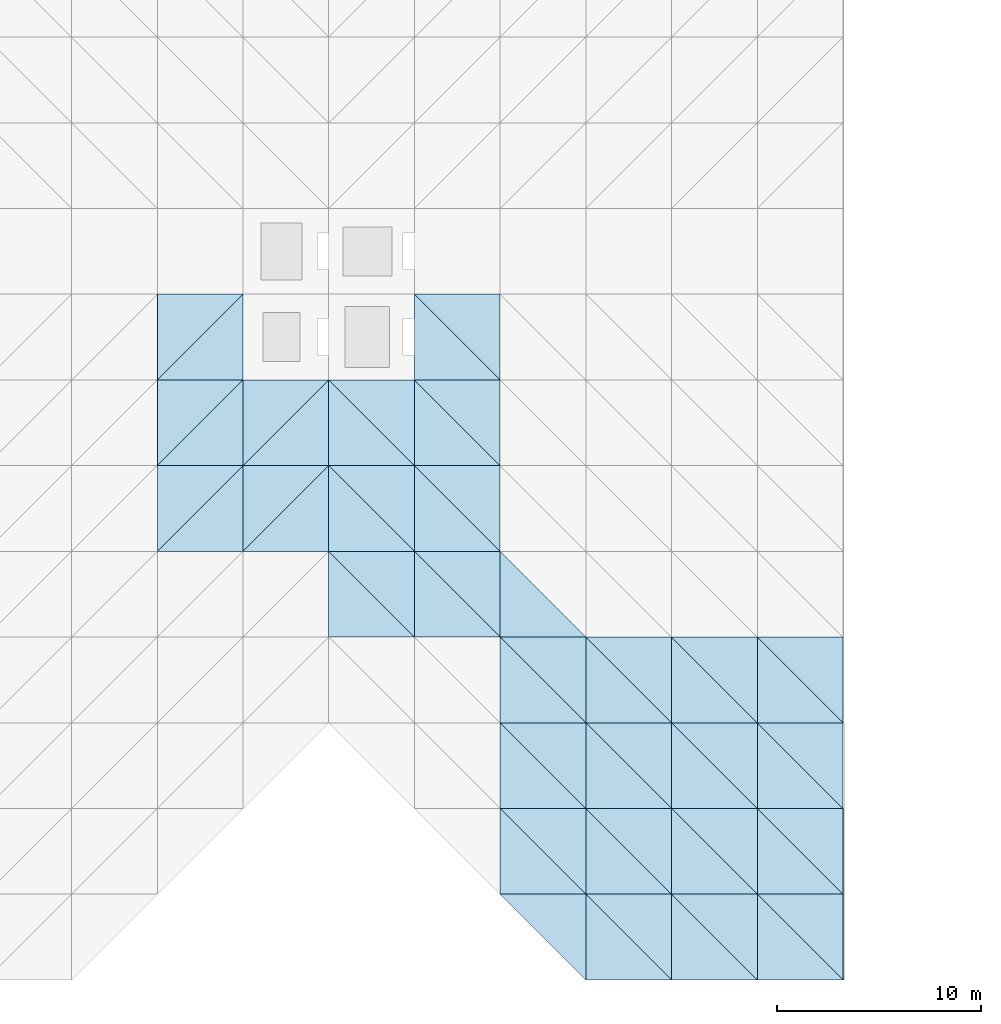
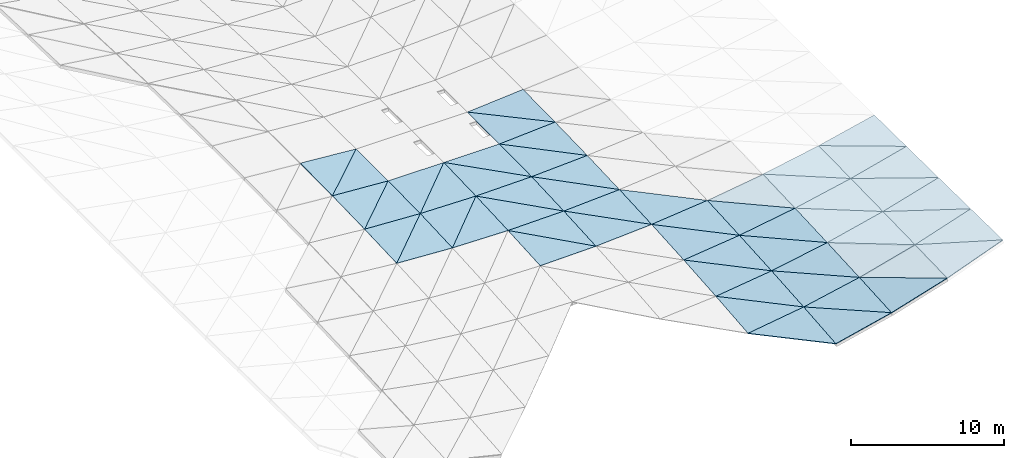
# One storey, part 20 of 31: 56 roofs.
"""IFC4 building model written with IfcOpenShell, lengths in metres."""

from ifc_helpers import new_model, si_unit, direction, frame, origin, place, context, subcontext, project, spatial, polyline, outline, extrude, material, layer, layer_set, type_object, element, save


model = new_model("IFC4")

# Units and contexts
model_context = context("Model", 3, precision=1e-05, world=origin(), true_north=direction((0.0, 1.0)))
body_context = subcontext(model_context, "Body", "Model", "MODEL_VIEW")
ifc_project = project(units=[si_unit("LENGTHUNIT", "METRE"), si_unit("AREAUNIT", "SQUARE_METRE"), si_unit("VOLUMEUNIT", "CUBIC_METRE"), si_unit("PLANEANGLEUNIT", "RADIAN"), si_unit("MASSUNIT", "GRAM", prefix="KILO")], contexts=[model_context])

# Site, building, storey
site_placement = place(None, origin())
site = spatial("IfcSite", under=ifc_project, at=site_placement, CompositionType="ELEMENT")
building_placement = place(site_placement, origin())
building = spatial("IfcBuilding", under=site, at=building_placement, Name="Cumbredor Promenade Congress Hotel", CompositionType="ELEMENT")
storey_placement = place(building_placement, frame((0.0, 0.0, 31.919921875)))
storey = spatial("IfcBuildingStorey", under=building, at=storey_placement, Name="L09", CompositionType="ELEMENT", Elevation=31.919921875)

# Roofs
ifc_material = material(Name="Standing-seam zinc-aluminium roofing", Category="aluminium")
ifc_layer = layer(ifc_material, 0.050048828125, Name="Standing-seam zinc-aluminium roofing", Category="aluminium")
ifc_layer_set = layer_set([ifc_layer], Name="Standing-seam zinc-aluminium roofing")
roof_type = type_object("IfcRoofType", Name="Sweeping Pavilion Standing-Seam Roof Skin 50mm", PredefinedType="FREEFORM", material=ifc_layer_set)
roof_1_placement = place(storey_placement, frame((25.199951171875, 21.0, 1.0458984375), z_axis=(0.057508168834, -0.045855808012, 0.997291359327), x_axis=(0.998341545591, 0.0, -0.057568727154)))
element("IfcRoof", 1, at=roof_1_placement, inside=storey, type_object=roof_type, Name="Plenary Congress Hall Standing-Seam Roof Skin 8.6.1", PredefinedType="FREEFORM", context=body_context, shape_type="SweptSolid", body=[
    extrude(outline(polyline([(0.0, 0.0), (4.206928170445799, 1.734723475976807e-18), (4.195810772208824, 4.204373882439374), (0.0, 0.0)])), origin(), (0.0, 0.0, -1.0), 0.050048828125),
])
roof_2_placement = place(storey_placement, frame((25.199951171875, 21.0, 1.0458984375), z_axis=(0.053067762346, -0.041410253896, 0.997731929664), x_axis=(0.707082649565, 0.707082649565, -0.008261559761)))
element("IfcRoof", 2, at=roof_2_placement, inside=storey, type_object=roof_type, Name="Plenary Congress Hall Standing-Seam Roof Skin 8.6.2", PredefinedType="FREEFORM", context=body_context, shape_type="SweptSolid", body=[
    extrude(outline(polyline([(0.0, 0.0), (5.939830618756897, -3.0357660829594124e-17), (2.968272477243427, 2.9764634310639995), (0.0, 0.0)])), origin(), (0.0, 0.0, -1.0), 0.050048828125),
])
roof_3_placement = place(storey_placement, frame((25.199951171875, 25.199951171875, 1.22021484375), z_axis=(0.053108168047, -0.013930011291, 0.998491601002), x_axis=(0.998588491362, 0.0, -0.05311332149)))
element("IfcRoof", 3, at=roof_3_placement, inside=storey, type_object=roof_type, Name="Plenary Congress Hall Standing-Seam Roof Skin 8.7.1", PredefinedType="FREEFORM", context=body_context, shape_type="SweptSolid", body=[
    extrude(outline(polyline([(0.0, 0.0), (4.205887818862536, 4.336808689942018e-19), (4.202775710181469, 4.2003587214014), (0.0, 0.0)])), origin(), (0.0, 0.0, -1.0), 0.050048828125),
])
roof_4_placement = place(storey_placement, frame((25.199951171875, 25.199951171875, 1.22021484375), z_axis=(0.066674640204, -0.027539525301, 0.997394639498), x_axis=(0.706834778288, 0.706834778288, -0.027734318162)))
element("IfcRoof", 4, at=roof_4_placement, inside=storey, type_object=roof_type, Name="Plenary Congress Hall Standing-Seam Roof Skin 8.7.2", PredefinedType="FREEFORM", context=body_context, shape_type="SweptSolid", body=[
    extrude(outline(polyline([(0.0, 0.0), (5.941913585583702, 3.712308238590367e-16), (2.9654552953536664, 2.9764262187009676), (0.0, 0.0)])), origin(), (0.0, 0.0, -1.0), 0.050048828125),
])
roof_5_placement = place(storey_placement, frame((25.199951171875, 29.39990234375, 1.336181640625), z_axis=(0.066699938467, 0.0, 0.997773079517), x_axis=(0.997773079517, 0.0, -0.066699938467)))
element("IfcRoof", 5, at=roof_5_placement, inside=storey, type_object=roof_type, Name="Plenary Congress Hall Standing-Seam Roof Skin 8.8.1", PredefinedType="FREEFORM", context=body_context, shape_type="SweptSolid", body=[
    extrude(outline(polyline([(0.0, 0.0), (4.209325003946552, 0.0), (4.209325003946552, 4.2001953125), (0.0, 0.0)])), origin(), (0.0, 0.0, -1.0), 0.050048828125),
])
roof_6_placement = place(storey_placement, frame((25.199951171875, 29.39990234375, 1.336181640625), z_axis=(0.080414613457, -0.013787871432, 0.996666134944), x_axis=(0.706297646574, 0.70633870323, -0.047215153959)))
element("IfcRoof", 6, at=roof_6_placement, inside=storey, type_object=roof_type, Name="Plenary Congress Hall Standing-Seam Roof Skin 8.8.2", PredefinedType="FREEFORM", context=body_context, shape_type="SweptSolid", body=[
    extrude(outline(polyline([(0.0, 0.0), (5.9464323465416316, -4.0245584642661925e-16), (2.9640170516902646, 2.9765113515548673), (0.0, 0.0)])), origin(), (0.0, 0.0, -1.0), 0.050048828125),
])
roof_7_placement = place(storey_placement, frame((29.39990234375, 21.0, 0.8037109375), z_axis=(0.019156527337, -0.047371621121, 0.998693625179), x_axis=(0.999816084135, 0.0, -0.01917805788)))
element("IfcRoof", 7, at=roof_7_placement, inside=storey, type_object=roof_type, Name="Plenary Congress Hall Standing-Seam Roof Skin 9.6.1", PredefinedType="FREEFORM", context=body_context, shape_type="SweptSolid", body=[
    extrude(outline(polyline([(0.0, 0.0), (4.200967937150082, 0.0), (4.197147308431834, 4.204671611348733), (0.0, 0.0)])), origin(), (0.0, 0.0, -1.0), 0.050048828125),
])
roof_8_placement = place(storey_placement, frame((29.39990234375, 21.0, 0.8037109375), z_axis=(0.017706947711, -0.045924622331, 0.998787962015), x_axis=(0.70698629074, 0.706945196442, 0.019971828488)))
element("IfcRoof", 8, at=roof_8_placement, inside=storey, type_object=roof_type, Name="Plenary Congress Hall Standing-Seam Roof Skin 9.6.2", PredefinedType="FREEFORM", context=body_context, shape_type="SweptSolid", body=[
    extrude(outline(polyline([(0.0, 0.0), (5.940985514875333, -6.704706234650359e-16), (2.9729921705889306, 2.9729111815691396), (0.0, 0.0)])), origin(), (0.0, 0.0, -1.0), 0.050048828125),
])
roof_9_placement = place(storey_placement, frame((29.39990234375, 25.199951171875, 0.996826171875), z_axis=(0.017716764162, -0.031659664737, 0.999341674252), x_axis=(0.999842888326, 0.0, -0.017725649903)))
element("IfcRoof", 9, at=roof_9_placement, inside=storey, type_object=roof_type, Name="Plenary Congress Hall Standing-Seam Roof Skin 9.7.1", PredefinedType="FREEFORM", context=body_context, shape_type="SweptSolid", body=[
    extrude(outline(polyline([(0.0, 0.0), (4.20085531591213, 0.0), (4.198496800483079, 4.2020576332498765), (0.0, 0.0)])), origin(), (0.0, 0.0, -1.0), 0.050048828125),
])
roof_10_placement = place(storey_placement, frame((29.39990234375, 25.199951171875, 0.996826171875), z_axis=(0.0, -0.013949697586, 0.999902698235), x_axis=(0.707092929256, 0.70705182876, 0.009864118985)))
element("IfcRoof", 10, at=roof_10_placement, inside=storey, type_object=roof_type, Name="Plenary Congress Hall Standing-Seam Roof Skin 9.7.2", PredefinedType="FREEFORM", context=body_context, shape_type="SweptSolid", body=[
    extrude(outline(polyline([(0.0, 0.0), (5.940089539461525, -7.177418381854039e-17), (2.970161132499125, 2.9700447674512858), (0.0, 0.0)])), origin(), (0.0, 0.0, -1.0), 0.050048828125),
])
roof_11_placement = place(storey_placement, frame((33.60009765625, 16.800048828125, 0.457275390625), z_axis=(-0.0211700999, -0.063162298057, 0.997778708419), x_axis=(0.999774990552, 0.0, 0.021212455476)))
element("IfcRoof", 11, at=roof_11_placement, inside=storey, type_object=roof_type, Name="Plenary Congress Hall Standing-Seam Roof Skin 10.5.1", PredefinedType="FREEFORM", context=body_context, shape_type="SweptSolid", body=[
    extrude(outline(polyline([(0.0, 0.0), (4.200896413259245, 0.0), (0.005639737307915398, 4.208354124765876), (0.0, 0.0)])), origin(), (0.0, 0.0, -1.0), 0.050048828125),
])
roof_12_placement = place(storey_placement, frame((37.800048828125, 16.800048828125, 0.54638671875), z_axis=(-0.019143288945, -0.061142504692, 0.997945453724), x_axis=(0.0, 0.998128360293, 0.061153711082)))
element("IfcRoof", 12, at=roof_12_placement, inside=storey, type_object=roof_type, Name="Plenary Congress Hall Standing-Seam Roof Skin 10.5.2", PredefinedType="FREEFORM", context=body_context, shape_type="SweptSolid", body=[
    extrude(outline(polyline([(0.0, 0.0), (4.2078267074214795, -8.673617379884035e-19), (4.202899772690729, 4.200720952082437), (0.0, 0.0)])), origin(), (0.0, 0.0, -1.0), 0.050048828125),
])
roof_13_placement = place(storey_placement, frame((33.60009765625, 21.0, 0.72314453125), z_axis=(-0.019157640486, -0.047371620111, 0.998693603874), x_axis=(0.999816062759, 0.0, 0.019179172279)))
element("IfcRoof", 13, at=roof_13_placement, inside=storey, type_object=roof_type, Name="Plenary Congress Hall Standing-Seam Roof Skin 10.6.1", PredefinedType="FREEFORM", context=body_context, shape_type="SweptSolid", body=[
    extrude(outline(polyline([(0.0, 0.0), (4.200723841429025, -4.336808689942018e-19), (0.0038208507273968044, 4.204671611146995), (0.0, 0.0)])), origin(), (0.0, 0.0, -1.0), 0.050048828125),
])
roof_14_placement = place(storey_placement, frame((37.800048828125, 21.0, 0.8037109375), z_axis=(-0.017707976682, -0.045924621494, 0.998787943811), x_axis=(0.0, 0.998944576834, 0.045931823535)))
element("IfcRoof", 14, at=roof_14_placement, inside=storey, type_object=roof_type, Name="Plenary Congress Hall Standing-Seam Roof Skin 10.6.2", PredefinedType="FREEFORM", context=body_context, shape_type="SweptSolid", body=[
    extrude(outline(polyline([(0.0, 0.0), (4.204388580980818, 4.336808689942018e-19), (4.20096836462871, 4.200609821244354), (0.0, 0.0)])), origin(), (0.0, 0.0, -1.0), 0.050048828125),
])
roof_15_placement = place(storey_placement, frame((33.60009765625, 25.199951171875, 0.92236328125), z_axis=(-0.017717793704, -0.031659664159, 0.999341656017), x_axis=(0.999842870064, 0.0, 0.017726679961)))
element("IfcRoof", 15, at=roof_15_placement, inside=storey, type_object=roof_type, Name="Plenary Congress Hall Standing-Seam Roof Skin 10.7.1", PredefinedType="FREEFORM", context=body_context, shape_type="SweptSolid", body=[
    extrude(outline(polyline([(0.0, 0.0), (4.2006112136467015, 0.0), (0.0023586524850482426, 4.2020576331729504), (0.0, 0.0)])), origin(), (0.0, 0.0, -1.0), 0.050048828125),
])
roof_16_placement = place(storey_placement, frame((37.800048828125, 25.199951171875, 0.996826171875), z_axis=(0.0, -0.013949697586, 0.999902698235), x_axis=(0.0, 0.999902698235, 0.013949697586)))
element("IfcRoof", 16, at=roof_16_placement, inside=storey, type_object=roof_type, Name="Plenary Congress Hall Standing-Seam Roof Skin 10.7.2", PredefinedType="FREEFORM", context=body_context, shape_type="SweptSolid", body=[
    extrude(outline(polyline([(0.0, 0.0), (4.200359874305207, 0.0), (4.200359874305207, 4.199951171875), (0.0, 0.0)])), origin(), (0.0, 0.0, -1.0), 0.050048828125),
])
roof_17_placement = place(storey_placement, frame((37.800048828125, 16.800048828125, 0.54638671875), z_axis=(-0.063347050155, -0.061030887443, 0.996123678071), x_axis=(0.997984042167, 0.0, 0.063465357329)))
element("IfcRoof", 17, at=roof_17_placement, inside=storey, type_object=roof_type, Name="Plenary Congress Hall Standing-Seam Roof Skin 11.5.1", PredefinedType="FREEFORM", context=body_context, shape_type="SweptSolid", body=[
    extrude(outline(polyline([(0.0, 0.0), (4.208435199782525, 0.0), (0.016331173492365982, 4.20779501549943), (0.0, 0.0)])), origin(), (0.0, 0.0, -1.0), 0.050048828125),
])
roof_18_placement = place(storey_placement, frame((42.0, 16.800048828125, 0.8134765625), z_axis=(-0.057481069945, -0.055163284867, 0.996821417607), x_axis=(0.0, 0.998472295268, 0.055254643091)))
element("IfcRoof", 18, at=roof_18_placement, inside=storey, type_object=roof_type, Name="Plenary Congress Hall Standing-Seam Roof Skin 11.5.2", PredefinedType="FREEFORM", context=body_context, shape_type="SweptSolid", body=[
    extrude(outline(polyline([(0.0, 0.0), (4.206377274343411, -1.734723475976807e-18), (4.192995290469805, 4.2069068867516), (0.0, 0.0)])), origin(), (0.0, 0.0, -1.0), 0.050048828125),
])
roof_19_placement = place(storey_placement, frame((37.800048828125, 21.0, 0.8037109375), z_axis=(-0.057508168834, -0.045855808012, 0.997291359327), x_axis=(0.998341545591, 0.0, 0.057568727154)))
element("IfcRoof", 19, at=roof_19_placement, inside=storey, type_object=roof_type, Name="Plenary Congress Hall Standing-Seam Roof Skin 11.6.1", PredefinedType="FREEFORM", context=body_context, shape_type="SweptSolid", body=[
    extrude(outline(polyline([(0.0, 0.0), (4.206928170445799, -1.734723475976807e-18), (0.011117398236975174, 4.204373882439374), (0.0, 0.0)])), origin(), (0.0, 0.0, -1.0), 0.050048828125),
])
roof_20_placement = place(storey_placement, frame((42.0, 21.0, 1.0458984375), z_axis=(-0.053067762346, -0.041410253896, 0.997731929664), x_axis=(0.0, 0.999139804036, 0.041468686862)))
element("IfcRoof", 20, at=roof_20_placement, inside=storey, type_object=roof_type, Name="Plenary Congress Hall Standing-Seam Roof Skin 11.6.2", PredefinedType="FREEFORM", context=body_context, shape_type="SweptSolid", body=[
    extrude(outline(polyline([(0.0, 0.0), (4.203567063295423, 1.734723475976807e-18), (4.194303428412985, 4.205877617088381), (0.0, 0.0)])), origin(), (0.0, 0.0, -1.0), 0.050048828125),
])
roof_21_placement = place(storey_placement, frame((37.800048828125, 25.199951171875, 0.996826171875), z_axis=(-0.053108168047, -0.013930011291, 0.998491601002), x_axis=(0.998588491362, 0.0, 0.05311332149)))
element("IfcRoof", 21, at=roof_21_placement, inside=storey, type_object=roof_type, Name="Plenary Congress Hall Standing-Seam Roof Skin 11.7.1", PredefinedType="FREEFORM", context=body_context, shape_type="SweptSolid", body=[
    extrude(outline(polyline([(0.0, 0.0), (4.205887818862536, -4.336808689942018e-19), (0.0031121086810669365, 4.2003587214014), (0.0, 0.0)])), origin(), (0.0, 0.0, -1.0), 0.050048828125),
])
roof_22_placement = place(storey_placement, frame((42.0, 25.199951171875, 1.22021484375), z_axis=(-0.066674640204, -0.027539525301, 0.997394639498), x_axis=(0.0, 0.99961902138, 0.02760094374)))
element("IfcRoof", 22, at=roof_22_placement, inside=storey, type_object=roof_type, Name="Plenary Congress Hall Standing-Seam Roof Skin 11.7.2", PredefinedType="FREEFORM", context=body_context, shape_type="SweptSolid", body=[
    extrude(outline(polyline([(0.0, 0.0), (4.2015518733096275, 0.0), (4.193802584906123, 4.209317870793187), (0.0, 0.0)])), origin(), (0.0, 0.0, -1.0), 0.050048828125),
])
roof_23_placement = place(storey_placement, frame((37.800048828125, 29.39990234375, 1.055419921875), z_axis=(-0.066699938467, 0.0, 0.997773079517), x_axis=(0.997773079517, 0.0, 0.066699938467)))
element("IfcRoof", 23, at=roof_23_placement, inside=storey, type_object=roof_type, Name="Plenary Congress Hall Standing-Seam Roof Skin 11.8.1", PredefinedType="FREEFORM", context=body_context, shape_type="SweptSolid", body=[
    extrude(outline(polyline([(0.0, 0.0), (4.209325003946552, 0.0), (0.0, 4.2001953125), (0.0, 0.0)])), origin(), (0.0, 0.0, -1.0), 0.050048828125),
])
roof_24_placement = place(storey_placement, frame((42.0, 29.39990234375, 1.336181640625), z_axis=(-0.080414613457, -0.013787871432, 0.996666134944), x_axis=(0.0, 0.999904324064, 0.013832668515)))
element("IfcRoof", 24, at=roof_24_placement, inside=storey, type_object=roof_type, Name="Plenary Congress Hall Standing-Seam Roof Skin 11.8.2", PredefinedType="FREEFORM", context=body_context, shape_type="SweptSolid", body=[
    extrude(outline(polyline([(0.0, 0.0), (4.200597208569947, 8.673617379884035e-19), (4.195909771094745, 4.213596901084425), (0.0, 0.0)])), origin(), (0.0, 0.0, -1.0), 0.050048828125),
])
roof_25_placement = place(storey_placement, frame((46.199951171875, 0.0, 0.01904296875), z_axis=(-0.148392794585, -0.089424978836, 0.984877023631), x_axis=(0.0, 0.995903165323, 0.090426131735)))
element("IfcRoof", 25, at=roof_25_placement, inside=storey, type_object=roof_type, Name="Plenary Congress Hall Standing-Seam Roof Skin 12.1.2", PredefinedType="FREEFORM", context=body_context, shape_type="SweptSolid", body=[
    extrude(outline(polyline([(0.0, 0.0), (4.217228459671299, 0.0), (4.1600056731828685, 4.246971516150884), (0.0, 0.0)])), origin(), (0.0, 0.0, -1.0), 0.050048828125),
])
roof_26_placement = place(storey_placement, frame((42.0, 4.199951171875, -0.232421875), z_axis=(-0.148311221461, -0.095326579843, 0.984335626077), x_axis=(0.988838745942, 0.0, 0.148989712811)))
element("IfcRoof", 26, at=roof_26_placement, inside=storey, type_object=roof_type, Name="Plenary Congress Hall Standing-Seam Roof Skin 12.2.1", PredefinedType="FREEFORM", context=body_context, shape_type="SweptSolid", body=[
    extrude(outline(polyline([(0.0, 0.0), (4.247357002453459, -1.3877787807814457e-17), (0.06059981971254982, 4.21916502846466), (0.0, 0.0)])), origin(), (0.0, 0.0, -1.0), 0.050048828125),
])
roof_27_placement = place(storey_placement, frame((46.199951171875, 4.199951171875, 0.400390625), z_axis=(-0.131714249465, -0.078523061063, 0.988172801371), x_axis=(0.0, 0.996857698391, 0.079213188031)))
element("IfcRoof", 27, at=roof_27_placement, inside=storey, type_object=roof_type, Name="Plenary Congress Hall Standing-Seam Roof Skin 12.2.2", PredefinedType="FREEFORM", context=body_context, shape_type="SweptSolid", body=[
    extrude(outline(polyline([(0.0, 0.0), (4.21319028649014, 0.0), (4.168845598952162, 4.236863889334774), (0.0, 0.0)])), origin(), (0.0, 0.0, -1.0), 0.050048828125),
])
roof_28_placement = place(storey_placement, frame((42.0, 8.39990234375, 0.17431640625), z_axis=(-0.131677267955, -0.081999218886, 0.987895351343), x_axis=(0.99123343534, 0.0, 0.132122203525)))
element("IfcRoof", 28, at=roof_28_placement, inside=storey, type_object=roof_type, Name="Plenary Congress Hall Standing-Seam Roof Skin 12.3.1", PredefinedType="FREEFORM", context=body_context, shape_type="SweptSolid", body=[
    extrude(outline(polyline([(0.0, 0.0), (4.237095947469426, 0.0), (0.046062135408494076, 4.214387711255366), (0.0, 0.0)])), origin(), (0.0, 0.0, -1.0), 0.050048828125),
])
roof_29_placement = place(storey_placement, frame((46.199951171875, 8.39990234375, 0.734130859375), z_axis=(-0.117263600303, -0.067439928458, 0.99080830845), x_axis=(0.0, 0.997691557388, 0.067908440694)))
element("IfcRoof", 29, at=roof_29_placement, inside=storey, type_object=roof_type, Name="Plenary Congress Hall Standing-Seam Roof Skin 12.3.2", PredefinedType="FREEFORM", context=body_context, shape_type="SweptSolid", body=[
    extrude(outline(polyline([(0.0, 0.0), (4.209913656579363, -6.938893903907228e-18), (4.176158386742171, 4.229128671896996), (0.0, 0.0)])), origin(), (0.0, 0.0, -1.0), 0.050048828125),
])
roof_30_placement = place(storey_placement, frame((42.0, 12.60009765625, 0.52294921875), z_axis=(-0.117254845515, -0.068533038391, 0.990734335658), x_axis=(0.993069192908, 0.0, 0.117531179257)))
element("IfcRoof", 30, at=roof_30_placement, inside=storey, type_object=roof_type, Name="Plenary Congress Hall Standing-Seam Roof Skin 12.4.1", PredefinedType="FREEFORM", context=body_context, shape_type="SweptSolid", body=[
    extrude(outline(polyline([(0.0, 0.0), (4.229263380507655, 0.0), (0.03414602131737491, 4.209849169843121), (0.0, 0.0)])), origin(), (0.0, 0.0, -1.0), 0.050048828125),
])
roof_31_placement = place(storey_placement, frame((46.199951171875, 12.60009765625, 1.02001953125), z_axis=(-0.105212196304, -0.056386349857, 0.992849924862), x_axis=(0.0, 0.998391201214, 0.056701052351)))
element("IfcRoof", 31, at=roof_31_placement, inside=storey, type_object=roof_type, Name="Plenary Congress Hall Standing-Seam Roof Skin 12.4.2", PredefinedType="FREEFORM", context=body_context, shape_type="SweptSolid", body=[
    extrude(outline(polyline([(0.0, 0.0), (4.206718936190888, 0.0), (4.181483091846394, 4.2233918646996464), (0.0, 0.0)])), origin(), (0.0, 0.0, -1.0), 0.050048828125),
])
roof_32_placement = place(storey_placement, frame((42.0, 16.800048828125, 0.8134765625), z_axis=(-0.105220647526, -0.054947919059, 0.992929676022), x_axis=(0.994432042203, 0.0, 0.105379853103)))
element("IfcRoof", 32, at=roof_32_placement, inside=storey, type_object=roof_type, Name="Plenary Congress Hall Standing-Seam Roof Skin 12.5.1", PredefinedType="FREEFORM", context=body_context, shape_type="SweptSolid", body=[
    extrude(outline(polyline([(0.0, 0.0), (4.223467259332188, -3.469446951953614e-18), (0.024492583045492296, 4.20630596693684), (0.0, 0.0)])), origin(), (0.0, 0.0, -1.0), 0.050048828125),
])
roof_33_placement = place(storey_placement, frame((46.199951171875, 0.0, 0.01904296875), z_axis=(-0.231257969912, -0.087974902339, 0.968906686895), x_axis=(0.972678059786, 0.0, 0.232158118554)))
element("IfcRoof", 33, at=roof_33_placement, inside=storey, type_object=roof_type, Name="Plenary Congress Hall Standing-Seam Roof Skin 13.1.1", PredefinedType="FREEFORM", context=body_context, shape_type="SweptSolid", body=[
    extrude(outline(polyline([(0.0, 0.0), (4.317925267891822, 0.0), (0.08853295438992968, 4.2162990639954065), (0.0, 0.0)])), origin(), (0.0, 0.0, -1.0), 0.050048828125),
])
roof_34_placement = place(storey_placement, frame((50.39990234375, 0.0, 1.021484375), z_axis=(-0.205963343256, -0.061539212814, 0.976622765719), x_axis=(0.0, 0.998020619679, 0.062887540065)))
element("IfcRoof", 34, at=roof_34_placement, inside=storey, type_object=roof_type, Name="Plenary Congress Hall Standing-Seam Roof Skin 13.1.2", PredefinedType="FREEFORM", context=body_context, shape_type="SweptSolid", body=[
    extrude(outline(polyline([(0.0, 0.0), (4.208280960392899, -1.3877787807814457e-17), (4.152578813089544, 4.291972313475154), (0.0, 0.0)])), origin(), (0.0, 0.0, -1.0), 0.050048828125),
])
roof_35_placement = place(storey_placement, frame((46.199951171875, 4.199951171875, 0.400390625), z_axis=(-0.205733512795, -0.077518663724, 0.975532971502), x_axis=(0.978477306539, 0.0, 0.206354453765)))
element("IfcRoof", 35, at=roof_35_placement, inside=storey, type_object=roof_type, Name="Plenary Congress Hall Standing-Seam Roof Skin 13.2.1", PredefinedType="FREEFORM", context=body_context, shape_type="SweptSolid", body=[
    extrude(outline(polyline([(0.0, 0.0), (4.292333755528742, 2.7755575615628914e-17), (0.06886878376391804, 4.212627384518805), (0.0, 0.0)])), origin(), (0.0, 0.0, -1.0), 0.050048828125),
])
roof_36_placement = place(storey_placement, frame((50.39990234375, 4.199951171875, 1.2861328125), z_axis=(-0.183105679029, -0.054092921072, 0.981603925317), x_axis=(0.0, 0.998485077056, 0.055023185087)))
element("IfcRoof", 36, at=roof_36_placement, inside=storey, type_object=roof_type, Name="Plenary Congress Hall Standing-Seam Roof Skin 13.2.2", PredefinedType="FREEFORM", context=body_context, shape_type="SweptSolid", body=[
    extrude(outline(polyline([(0.0, 0.0), (4.206323427746898, 0.0), (4.16321566384464, 4.272179910167738), (0.0, 0.0)])), origin(), (0.0, 0.0, -1.0), 0.050048828125),
])
roof_37_placement = place(storey_placement, frame((46.199951171875, 8.39990234375, 0.734130859375), z_axis=(-0.182965033899, -0.066762106911, 0.98084994645), x_axis=(0.9830431928, 0.0, 0.183374156002)))
element("IfcRoof", 37, at=roof_37_placement, inside=storey, type_object=roof_type, Name="Plenary Congress Hall Standing-Seam Roof Skin 13.3.1", PredefinedType="FREEFORM", context=body_context, shape_type="SweptSolid", body=[
    extrude(outline(polyline([(0.0, 0.0), (4.272397390710451, 6.938893903907228e-18), (0.05242459391549868, 4.20958723128601), (0.0, 0.0)])), origin(), (0.0, 0.0, -1.0), 0.050048828125),
])
roof_38_placement = place(storey_placement, frame((50.39990234375, 8.39990234375, 1.517578125), z_axis=(-0.16331947342, -0.046569980355, 0.985473483424), x_axis=(0.0, 0.998885280546, 0.047203774302)))
element("IfcRoof", 38, at=roof_38_placement, inside=storey, type_object=roof_type, Name="Plenary Congress Hall Standing-Seam Roof Skin 13.3.2", PredefinedType="FREEFORM", context=body_context, shape_type="SweptSolid", body=[
    extrude(outline(polyline([(0.0, 0.0), (4.204882576909791, 0.0), (4.172026629513858, 4.257110389233862), (0.0, 0.0)])), origin(), (0.0, 0.0, -1.0), 0.050048828125),
])
roof_39_placement = place(storey_placement, frame((46.199951171875, 12.60009765625, 1.02001953125), z_axis=(-0.163240843778, -0.055940478559, 0.984999030345), x_axis=(0.986543854023, 0.0, 0.16349686263)))
element("IfcRoof", 39, at=roof_39_placement, inside=storey, type_object=roof_type, Name="Plenary Congress Hall Standing-Seam Roof Skin 13.4.1", PredefinedType="FREEFORM", context=body_context, shape_type="SweptSolid", body=[
    extrude(outline(polyline([(0.0, 0.0), (4.257237176785217, -6.938893903907228e-18), (0.038998153024716514, 4.206538167206813), (0.0, 0.0)])), origin(), (0.0, 0.0, -1.0), 0.050048828125),
])
roof_40_placement = place(storey_placement, frame((50.39990234375, 12.60009765625, 1.716064453125), z_axis=(-0.146628993095, -0.038955508354, 0.988424203848), x_axis=(0.0, 0.999224261339, 0.039381157309)))
element("IfcRoof", 40, at=roof_40_placement, inside=storey, type_object=roof_type, Name="Plenary Congress Hall Standing-Seam Roof Skin 13.4.2", PredefinedType="FREEFORM", context=body_context, shape_type="SweptSolid", body=[
    extrude(outline(polyline([(0.0, 0.0), (4.203211765740946, 0.0), (4.178675458745643, 4.245842110137927), (0.0, 0.0)])), origin(), (0.0, 0.0, -1.0), 0.050048828125),
])
roof_41_placement = place(storey_placement, frame((50.39990234375, 0.0, 1.021484375), z_axis=(-0.29281693134, -0.06013108631, 0.954275902022), x_axis=(0.95600580498, 0.0, 0.293347747297)))
element("IfcRoof", 41, at=roof_41_placement, inside=storey, type_object=roof_type, Name="Plenary Congress Hall Standing-Seam Roof Skin 14.1.1", PredefinedType="FREEFORM", context=body_context, shape_type="SweptSolid", body=[
    extrude(outline(polyline([(0.0, 0.0), (4.393483063198155, -2.7755575615628914e-17), (0.07763402296619341, 4.207564806403278), (0.0, 0.0)])), origin(), (0.0, 0.0, -1.0), 0.050048828125),
])
roof_42_placement = place(storey_placement, frame((54.60009765625, 0.0, 2.310302734375), z_axis=(-0.261564491661, -0.02630379021, 0.964827511694), x_axis=(0.0, 0.999628579988, 0.027252560833)))
element("IfcRoof", 42, at=roof_42_placement, inside=storey, type_object=roof_type, Name="Plenary Congress Hall Standing-Seam Roof Skin 14.1.2", PredefinedType="FREEFORM", context=body_context, shape_type="SweptSolid", body=[
    extrude(outline(polyline([(0.0, 0.0), (4.201511697401737, 3.469446951953614e-18), (4.170479972859203, 4.351695225327126), (0.0, 0.0)])), origin(), (0.0, 0.0, -1.0), 0.050048828125),
])
roof_43_placement = place(storey_placement, frame((50.39990234375, 4.199951171875, 1.2861328125), z_axis=(-0.261285718859, -0.053111762449, 0.963799208243), x_axis=(0.965161461951, 0.0, 0.261655025491)))
element("IfcRoof", 43, at=roof_43_placement, inside=storey, type_object=roof_type, Name="Plenary Congress Hall Standing-Seam Roof Skin 14.2.1", PredefinedType="FREEFORM", context=body_context, shape_type="SweptSolid", body=[
    extrude(outline(polyline([(0.0, 0.0), (4.351805866771057, 6.938893903907228e-18), (0.060558829141860816, 4.205887469610353), (0.0, 0.0)])), origin(), (0.0, 0.0, -1.0), 0.050048828125),
])
roof_44_placement = place(storey_placement, frame((54.60009765625, 4.199951171875, 2.4248046875), z_axis=(-0.233205275308, -0.02322581529, 0.972150122704), x_axis=(0.0, 0.999714727834, 0.023884366281)))
element("IfcRoof", 44, at=roof_44_placement, inside=storey, type_object=roof_type, Name="Plenary Congress Hall Standing-Seam Roof Skin 14.2.2", PredefinedType="FREEFORM", context=body_context, shape_type="SweptSolid", body=[
    extrude(outline(polyline([(0.0, 0.0), (4.201149642935168, 0.0), (4.177084511186267, 4.319288776105912), (0.0, 0.0)])), origin(), (0.0, 0.0, -1.0), 0.050048828125),
])
roof_45_placement = place(storey_placement, frame((50.39990234375, 8.39990234375, 1.517578125), z_axis=(-0.233022298963, -0.045904320101, 0.971387359184), x_axis=(0.972412436435, 0.0, 0.233268200719)))
element("IfcRoof", 45, at=roof_45_placement, inside=storey, type_object=roof_type, Name="Plenary Congress Hall Standing-Seam Roof Skin 14.3.1", PredefinedType="FREEFORM", context=body_context, shape_type="SweptSolid", body=[
    extrude(outline(polyline([(0.0, 0.0), (4.319355815623506, 0.0), (0.04630054862901021, 4.204627658282737), (0.0, 0.0)])), origin(), (0.0, 0.0, -1.0), 0.050048828125),
])
roof_46_placement = place(storey_placement, frame((54.60009765625, 8.39990234375, 2.525146484375), z_axis=(-0.208369100368, -0.020007071285, 0.977845609036), x_axis=(0.0, 0.999790752569, 0.020456076779)))
element("IfcRoof", 46, at=roof_46_placement, inside=storey, type_object=roof_type, Name="Plenary Congress Hall Standing-Seam Roof Skin 14.3.2", PredefinedType="FREEFORM", context=body_context, shape_type="SweptSolid", body=[
    extrude(outline(polyline([(0.0, 0.0), (4.201074376520038, -3.469446951953614e-18), (4.1827657882701645, 4.294457523373848), (0.0, 0.0)])), origin(), (0.0, 0.0, -1.0), 0.050048828125),
])
roof_47_placement = place(storey_placement, frame((50.39990234375, 12.60009765625, 1.716064453125), z_axis=(-0.208256158292, -0.038517698597, 0.97731558845), x_axis=(0.978041375248, 0.0, 0.208410816186)))
element("IfcRoof", 47, at=roof_47_placement, inside=storey, type_object=roof_type, Name="Plenary Congress Hall Standing-Seam Roof Skin 14.4.1", PredefinedType="FREEFORM", context=body_context, shape_type="SweptSolid", body=[
    extrude(outline(polyline([(0.0, 0.0), (4.294496550757253, 0.0), (0.03449768881198872, 4.203070194171131), (0.0, 0.0)])), origin(), (0.0, 0.0, -1.0), 0.050048828125),
])
roof_48_placement = place(storey_placement, frame((54.60009765625, 12.60009765625, 2.611083984375), z_axis=(-0.187308905961, -0.016728040133, 0.982158615714), x_axis=(0.0, 0.999854988518, 0.017029443215)))
element("IfcRoof", 48, at=roof_48_placement, inside=storey, type_object=roof_type, Name="Plenary Congress Hall Standing-Seam Roof Skin 14.4.2", PredefinedType="FREEFORM", context=body_context, shape_type="SweptSolid", body=[
    extrude(outline(polyline([(0.0, 0.0), (4.200560301350703, 0.0), (4.186919284946907, 4.27587374255185), (0.0, 0.0)])), origin(), (0.0, 0.0, -1.0), 0.050048828125),
])
roof_49_placement = place(storey_placement, frame((54.60009765625, 0.0, 2.310302734375), z_axis=(-0.351098543279, -0.025517622315, 0.935990739195), x_axis=(0.936295622836, 0.0, 0.351212907874)))
element("IfcRoof", 49, at=roof_49_placement, inside=storey, type_object=roof_type, Name="Plenary Congress Hall Standing-Seam Roof Skin 15.1.1", PredefinedType="FREEFORM", context=body_context, shape_type="SweptSolid", body=[
    extrude(outline(polyline([(0.0, 0.0), (4.485710569864822, -6.938893903907228e-18), (0.04021456391432551, 4.2013192371269295), (0.0, 0.0)])), origin(), (0.0, 0.0, -1.0), 0.050048828125),
])
roof_50_placement = place(storey_placement, frame((58.800048828125, 0.0, 3.8857421875), z_axis=(-0.314583569818, 0.015558149191, 0.949102271409), x_axis=(0.0, 0.999865670213, -0.016390287682)))
element("IfcRoof", 50, at=roof_50_placement, inside=storey, type_object=roof_type, Name="Plenary Congress Hall Standing-Seam Roof Skin 15.1.2", PredefinedType="FREEFORM", context=body_context, shape_type="SweptSolid", body=[
    extrude(outline(polyline([(0.0, 0.0), (4.20051542621918, 0.0), (4.22333217923796, 4.424588497813979), (0.0, 0.0)])), origin(), (0.0, 0.0, -1.0), 0.050048828125),
])
roof_51_placement = place(storey_placement, frame((54.60009765625, 4.199951171875, 2.4248046875), z_axis=(-0.314540778268, -0.022672090471, 0.948973168809), x_axis=(0.94921716022, 0.0, 0.314621650152)))
element("IfcRoof", 51, at=roof_51_placement, inside=storey, type_object=roof_type, Name="Plenary Congress Hall Standing-Seam Roof Skin 15.2.1", PredefinedType="FREEFORM", context=body_context, shape_type="SweptSolid", body=[
    extrude(outline(polyline([(0.0, 0.0), (4.4246473282292325, -3.469446951953614e-18), (0.031569701712071956, 4.201031025387471), (0.0, 0.0)])), origin(), (0.0, 0.0, -1.0), 0.050048828125),
])
roof_52_placement = place(storey_placement, frame((58.800048828125, 4.199951171875, 3.81689453125), z_axis=(-0.281333183711, 0.013776624976, 0.959511252851), x_axis=(0.0, 0.999896940415, -0.014356481095)))
element("IfcRoof", 52, at=roof_52_placement, inside=storey, type_object=roof_type, Name="Plenary Congress Hall Standing-Seam Roof Skin 15.2.2", PredefinedType="FREEFORM", context=body_context, shape_type="SweptSolid", body=[
    extrude(outline(polyline([(0.0, 0.0), (4.200384061714749, -3.469446951953614e-18), (4.2180632830635485, 4.3767264992166135), (0.0, 0.0)])), origin(), (0.0, 0.0, -1.0), 0.050048828125),
])
roof_53_placement = place(storey_placement, frame((54.60009765625, 8.39990234375, 2.525146484375), z_axis=(-0.281305670855, -0.019630023895, 0.959417417867), x_axis=(0.959602321223, 0.0, 0.281359885383)))
element("IfcRoof", 53, at=roof_53_placement, inside=storey, type_object=roof_type, Name="Plenary Congress Hall Standing-Seam Roof Skin 15.3.1", PredefinedType="FREEFORM", context=body_context, shape_type="SweptSolid", body=[
    extrude(outline(polyline([(0.0, 0.0), (4.376762205536464, 3.469446951953614e-18), (0.024179365150133258, 4.201004793540965), (0.0, 0.0)])), origin(), (0.0, 0.0, -1.0), 0.050048828125),
])
roof_54_placement = place(storey_placement, frame((58.800048828125, 8.39990234375, 3.756591796875), z_axis=(-0.251996346228, 0.011924133956, 0.967654719679), x_axis=(0.0, 0.999924083985, -0.012321780156)))
element("IfcRoof", 54, at=roof_54_placement, inside=storey, type_object=roof_type, Name="Plenary Congress Hall Standing-Seam Roof Skin 15.3.2", PredefinedType="FREEFORM", context=body_context, shape_type="SweptSolid", body=[
    extrude(outline(polyline([(0.0, 0.0), (4.20051419879778, 0.0), (4.2139911458434725, 4.340011207420151), (0.0, 0.0)])), origin(), (0.0, 0.0, -1.0), 0.050048828125),
])
roof_55_placement = place(storey_placement, frame((54.60009765625, 12.60009765625, 2.611083984375), z_axis=(-0.251980038765, -0.0164799445, 0.967592099747), x_axis=(0.967723519995, 0.0, 0.252014263185)))
element("IfcRoof", 55, at=roof_55_placement, inside=storey, type_object=roof_type, Name="Plenary Congress Hall Standing-Seam Roof Skin 15.4.1", PredefinedType="FREEFORM", context=body_context, shape_type="SweptSolid", body=[
    extrude(outline(polyline([(0.0, 0.0), (4.340032132212178, -6.938893903907228e-18), (0.018027387478831633, 4.20052161744041), (0.0, 0.0)])), origin(), (0.0, 0.0, -1.0), 0.050048828125),
])
roof_56_placement = place(storey_placement, frame((58.800048828125, 12.60009765625, 3.704833984375), z_axis=(-0.227001669746, 0.01001977445, 0.973842824101), x_axis=(0.0, 0.999947073439, -0.010288358542)))
element("IfcRoof", 56, at=roof_56_placement, inside=storey, type_object=roof_type, Name="Plenary Congress Hall Standing-Seam Roof Skin 15.4.2", PredefinedType="FREEFORM", context=body_context, shape_type="SweptSolid", body=[
    extrude(outline(polyline([(0.0, 0.0), (4.200173472614002, 1.734723475976807e-18), (4.210245815815555, 4.312532555528059), (0.0, 0.0)])), origin(), (0.0, 0.0, -1.0), 0.050048828125),
])

save(model, "model.ifc")
